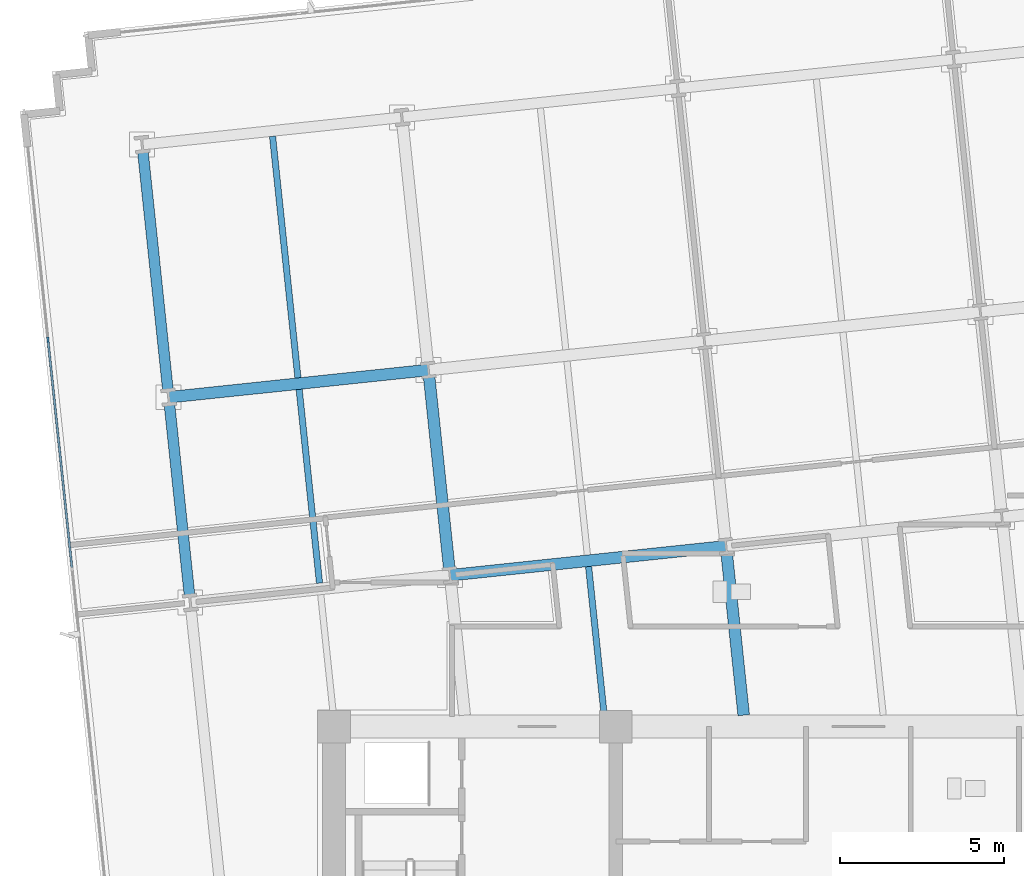
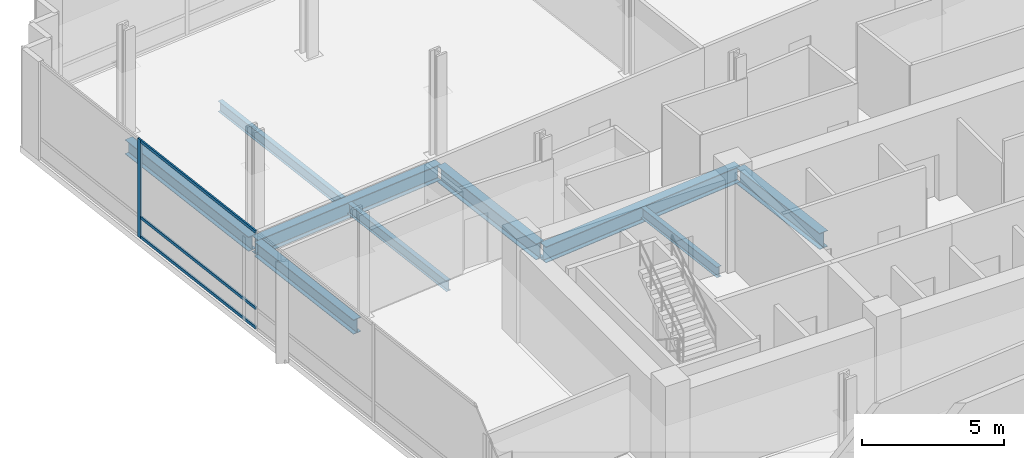
# One storey, part 4 of 20: 9 beams, 4 members, 1 element without a shape of its own.
"""IFC4 building model written with IfcOpenShell, lengths in metres."""

from ifc_helpers import new_model, si_unit, direction, frame, origin, origin_2d, place, context, subcontext, project, spatial, rectangle, i_section, extrude, material, material_profile, profile_set, type_object, element, aggregate, save


model = new_model("IFC4")

# Units and contexts
model_context = context("Model", 3, precision=1e-05, world=origin(), true_north=direction((0.0, 1.0)))
body_context = subcontext(model_context, "Body", "Model", "MODEL_VIEW")
ifc_project = project(units=[si_unit("LENGTHUNIT", "METRE"), si_unit("AREAUNIT", "SQUARE_METRE"), si_unit("VOLUMEUNIT", "CUBIC_METRE"), si_unit("PLANEANGLEUNIT", "RADIAN"), si_unit("MASSUNIT", "GRAM", prefix="KILO")], contexts=[model_context])

# Site, building, storey
site_placement = place(None, origin())
site = spatial("IfcSite", under=ifc_project, at=site_placement, CompositionType="ELEMENT")
building_placement = place(site_placement, origin())
building = spatial("IfcBuilding", under=site, at=building_placement, Name="Solmavex Isthmus Hotel", CompositionType="ELEMENT")
storey_placement = place(building_placement, frame((0.0, 0.0, 101.85009765625)))
storey = spatial("IfcBuildingStorey", under=building, at=storey_placement, Name="L27", CompositionType="ELEMENT", Elevation=101.85009765625)

# Beams
ifc_material_1 = material(Name="Steel ASTM A992 Grade 50", Category="steel")
ifc_material_profile_1 = material_profile(ifc_material_1, i_section(OverallWidth=0.354736328125, OverallDepth=0.695556640625, WebThickness=0.015380859375, FlangeThickness=0.02490234375, FilletRadius=0.017822265625, at=origin_2d()), Name="W27X146")
ifc_profile_set_1 = profile_set([ifc_material_profile_1], Name="Steel ASTM A992 Grade 50")
beam_type_1 = type_object("IfcBeamType", Name="BM-BG-W27X146", PredefinedType="BEAM", material=ifc_profile_set_1)
beam_1_placement = place(storey_placement, frame((-12.458740234375, 2.11865234375, -0.60791015625), z_axis=(0.994521085209, 0.104536171134, 0.0), x_axis=(-0.104536171134, 0.994521085209, 0.0)))
element("IfcBeam", 1, at=beam_1_placement, inside=storey, type_object=beam_type_1, Name="Floor Girder L27-UG08", PredefinedType="BEAM", context=body_context, shape_type="SweptSolid", body=[
    extrude(i_section(OverallWidth=0.354736328125, OverallDepth=0.695556640625, WebThickness=0.015380859375, FlangeThickness=0.02490234375, FilletRadius=0.017822265625, at=origin_2d()), origin(), (0.0, 0.0, 1.0), 8.466064453125),
])
beam_2_placement = place(storey_placement, frame((-21.04150390625, 7.54931640625, -0.60791015625), z_axis=(0.994523402738, 0.104514120609, 0.0), x_axis=(-0.104514120609, 0.994523402738, 0.0)))
element("IfcBeam", 2, at=beam_2_placement, inside=storey, type_object=beam_type_1, Name="Floor Girder L27-UG13", PredefinedType="BEAM", context=body_context, shape_type="SweptSolid", body=[
    extrude(i_section(OverallWidth=0.354736328125, OverallDepth=0.695556640625, WebThickness=0.015380859375, FlangeThickness=0.02490234375, FilletRadius=0.017822265625, at=origin_2d()), origin(), (0.0, 0.0, 1.0), 7.968017578125),
])
beam_3_placement = place(storey_placement, frame((-12.477294921875, 2.295166015625, -0.60791015625), z_axis=(-0.104545790518, 0.994520074048, 0.0), x_axis=(-0.994520074048, -0.104545790518, 0.0)))
element("IfcBeam", 3, at=beam_3_placement, inside=storey, type_object=beam_type_1, Name="Floor Beam L27-VG30", PredefinedType="BEAM", context=body_context, shape_type="SweptSolid", body=[
    extrude(i_section(OverallWidth=0.354736328125, OverallDepth=0.695556640625, WebThickness=0.015380859375, FlangeThickness=0.02490234375, FilletRadius=0.017822265625, at=origin_2d()), origin(), (0.0, 0.0, 1.0), 5.943115234375),
])
beam_4_placement = place(storey_placement, frame((-3.49755859375, -2.14990234375, -0.60791015625), z_axis=(-0.104496861251, 0.994525216366, 0.0), x_axis=(-0.994525216366, -0.104496861251, 0.0)))
element("IfcBeam", 4, at=beam_4_placement, inside=storey, type_object=beam_type_1, Name="Floor Beam L27-VG33", PredefinedType="BEAM", context=body_context, shape_type="SweptSolid", body=[
    extrude(i_section(OverallWidth=0.354736328125, OverallDepth=0.695556640625, WebThickness=0.015380859375, FlangeThickness=0.02490234375, FilletRadius=0.017822265625, at=origin_2d()), origin(), (0.0, 0.0, 1.0), 5.00439453125),
])
ifc_material_profile_2 = material_profile(ifc_material_1, i_section(OverallWidth=0.1904296875, OverallDepth=0.456787109375, WebThickness=0.009033203125, FlangeThickness=0.014404296875, FilletRadius=0.0126953125, at=origin_2d()), Name="W18X50")
ifc_profile_set_2 = profile_set([ifc_material_profile_2], Name="Steel ASTM A992 Grade 50")
beam_type_2 = type_object("IfcBeamType", Name="BM-BJ-W18X50", PredefinedType="JOIST", material=ifc_profile_set_2)
beam_5_placement = place(storey_placement, frame((-16.439453125, 1.878662109375, -0.488525390625), z_axis=(-0.104545790518, 0.994520074048, 0.0), x_axis=(-0.994520074048, -0.104545790518, 0.0)))
element("IfcBeam", 5, at=beam_5_placement, inside=storey, type_object=beam_type_2, Name="Secondary Floor Joist L27-J03", PredefinedType="JOIST", context=body_context, shape_type="SweptSolid", body=[
    extrude(i_section(OverallWidth=0.1904296875, OverallDepth=0.456787109375, WebThickness=0.009033203125, FlangeThickness=0.014404296875, FilletRadius=0.0126953125, at=origin_2d()), origin(), (0.0, 0.0, 1.0), 5.943115234375),
])
beam_6_placement = place(storey_placement, frame((-17.097900390625, 8.14208984375, -0.488525390625), z_axis=(-0.104525307271, 0.994522227072, 0.0), x_axis=(-0.994522227072, -0.104525307271, 0.0)))
element("IfcBeam", 6, at=beam_6_placement, inside=storey, type_object=beam_type_2, Name="Secondary Floor Joist L27-J04", PredefinedType="JOIST", context=body_context, shape_type="SweptSolid", body=[
    extrude(i_section(OverallWidth=0.1904296875, OverallDepth=0.456787109375, WebThickness=0.009033203125, FlangeThickness=0.014404296875, FilletRadius=0.0126953125, at=origin_2d()), origin(), (0.0, 0.0, 1.0), 7.4111328125),
])
beam_7_placement = place(storey_placement, frame((-7.75390625, -2.14990234375, -0.488525390625), z_axis=(-0.104517550263, 0.994523042311, 0.0), x_axis=(-0.994523042311, -0.104517550263, 0.0)))
element("IfcBeam", 7, at=beam_7_placement, inside=storey, type_object=beam_type_2, Name="Secondary Floor Joist L27-J06", PredefinedType="JOIST", context=body_context, shape_type="SweptSolid", body=[
    extrude(i_section(OverallWidth=0.1904296875, OverallDepth=0.456787109375, WebThickness=0.009033203125, FlangeThickness=0.014404296875, FilletRadius=0.0126953125, at=origin_2d()), origin(), (0.0, 0.0, 1.0), 4.5595703125),
])
ifc_material_profile_3 = material_profile(ifc_material_1, i_section(OverallWidth=0.326416015625, OverallDepth=0.621826171875, WebThickness=0.015380859375, FlangeThickness=0.0244140625, FilletRadius=0.01513671875, at=origin_2d()), Name="W24X131")
ifc_profile_set_3 = profile_set([ifc_material_profile_3], Name="Steel ASTM A992 Grade 50")
beam_type_3 = type_object("IfcBeamType", Name="BM-SP-W24X131", PredefinedType="SPANDREL", material=ifc_profile_set_3)
beam_8_placement = place(storey_placement, frame((-20.401611328125, 1.462158203125, -0.571044921875), z_axis=(-0.104545790518, 0.994520074048, 0.0), x_axis=(-0.994520074048, -0.104545790518, 0.0)))
element("IfcBeam", 8, at=beam_8_placement, inside=storey, type_object=beam_type_3, Name="Floor Beam L27-VG26", PredefinedType="SPANDREL", context=body_context, shape_type="SweptSolid", body=[
    extrude(i_section(OverallWidth=0.326416015625, OverallDepth=0.621826171875, WebThickness=0.015380859375, FlangeThickness=0.0244140625, FilletRadius=0.01513671875, at=origin_2d()), origin(), (0.0, 0.0, 1.0), 5.943115234375),
])
beam_9_placement = place(storey_placement, frame((-21.06005859375, 7.7255859375, -0.571044921875), z_axis=(-0.10452188296, 0.994522586964, 0.0), x_axis=(-0.994522586964, -0.10452188296, 0.0)))
element("IfcBeam", 9, at=beam_9_placement, inside=storey, type_object=beam_type_3, Name="Floor Beam L27-VG27", PredefinedType="SPANDREL", context=body_context, shape_type="SweptSolid", body=[
    extrude(i_section(OverallWidth=0.326416015625, OverallDepth=0.621826171875, WebThickness=0.015380859375, FlangeThickness=0.0244140625, FilletRadius=0.01513671875, at=origin_2d()), origin(), (0.0, 0.0, 1.0), 7.411376953125),
])

# Curtain wall, members
ifc_material_2 = material(Name="Aluminium alloy 6063-T6", Category="aluminium")
curtain_wall_type = type_object("IfcCurtainWallType", Name="CW-SYS-05", PredefinedType="NOTDEFINED", material=ifc_material_2)
curtain_wall_placement = place(storey_placement, origin())
curtain_wall = element("IfcCurtainWall", 10, at=curtain_wall_placement, inside=storey, type_object=curtain_wall_type, Name="Stick Curtain Wall CWL-L27-W1", PredefinedType="NOTDEFINED")
ifc_material_profile_4 = material_profile(ifc_material_2, rectangle(XDim=0.06494140625, YDim=0.159912109375, at=origin_2d()), Name="CWM-65X160")
ifc_profile_set_4 = profile_set([ifc_material_profile_4], Name="Aluminium alloy 6063-T6")
member_type_1 = type_object("IfcMemberType", Name="CW-SYS-05-MUL", PredefinedType="MULLION", material=ifc_profile_set_4)
member_1_placement = place(storey_placement, frame((-24.725341796875, 9.305908203125, 0.0), z_axis=(0.0, 0.0, 1.0), x_axis=(-0.994521893044, -0.104528485381, 0.0)))
member_1 = element("IfcMember", 11, at=member_1_placement, type_object=member_type_1, Name="CW-05 mullion 5", PredefinedType="MULLION", context=body_context, shape_type="SweptSolid", body=[
    extrude(rectangle(XDim=0.06494140625, YDim=0.159912109375, at=origin_2d()), origin(), (0.0, 0.0, 1.0), 4.239990234375),
])
ifc_material_profile_5 = material_profile(ifc_material_2, rectangle(XDim=0.06494140625, YDim=0.125, at=origin_2d()), Name="CWT-65X125")
ifc_profile_set_5 = profile_set([ifc_material_profile_5], Name="Aluminium alloy 6063-T6")
member_type_2 = type_object("IfcMemberType", Name="CW-SYS-05-TRN", PredefinedType="USERDEFINED", material=ifc_profile_set_5)
member_2_placement = place(storey_placement, frame((-23.994873046875, 2.356689453125, 0.0625), z_axis=(-0.104538598424, 0.994520830068, 0.0), x_axis=(-0.994520830068, -0.104538598424, 0.0)))
member_2 = element("IfcMember", 12, at=member_2_placement, type_object=member_type_2, Name="CW-05 transom 4.1", ObjectType="TRANSOM", PredefinedType="USERDEFINED", context=body_context, shape_type="SweptSolid", body=[
    extrude(rectangle(XDim=0.06494140625, YDim=0.125, at=origin_2d()), origin(), (0.0, 0.0, 1.0), 6.954833984375),
])
member_3_placement = place(storey_placement, frame((-23.994873046875, 2.356689453125, 0.89990234375), z_axis=(-0.104538598424, 0.994520830068, 0.0), x_axis=(-0.994520830068, -0.104538598424, 0.0)))
member_3 = element("IfcMember", 13, at=member_3_placement, type_object=member_type_2, Name="CW-05 transom 4.2", ObjectType="TRANSOM", PredefinedType="USERDEFINED", context=body_context, shape_type="SweptSolid", body=[
    extrude(rectangle(XDim=0.06494140625, YDim=0.125, at=origin_2d()), origin(), (0.0, 0.0, 1.0), 6.954833984375),
])
member_4_placement = place(storey_placement, frame((-23.994873046875, 2.356689453125, 4.177490234375), z_axis=(-0.104538598424, 0.994520830068, 0.0), x_axis=(-0.994520830068, -0.104538598424, 0.0)))
member_4 = element("IfcMember", 14, at=member_4_placement, type_object=member_type_2, Name="CW-05 transom 4.3", ObjectType="TRANSOM", PredefinedType="USERDEFINED", context=body_context, shape_type="SweptSolid", body=[
    extrude(rectangle(XDim=0.06494140625, YDim=0.125, at=origin_2d()), origin(), (0.0, 0.0, 1.0), 6.954833984375),
])
aggregate(curtain_wall, [member_1, member_2, member_3, member_4])

save(model, "model.ifc")
